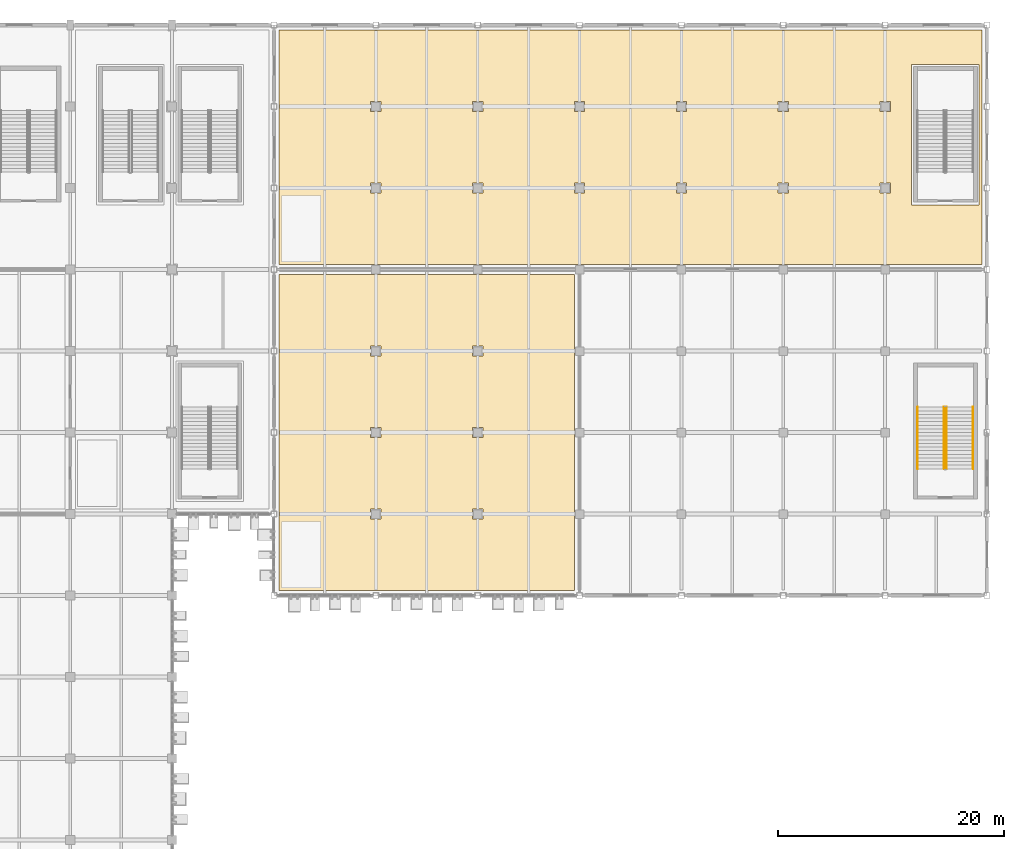
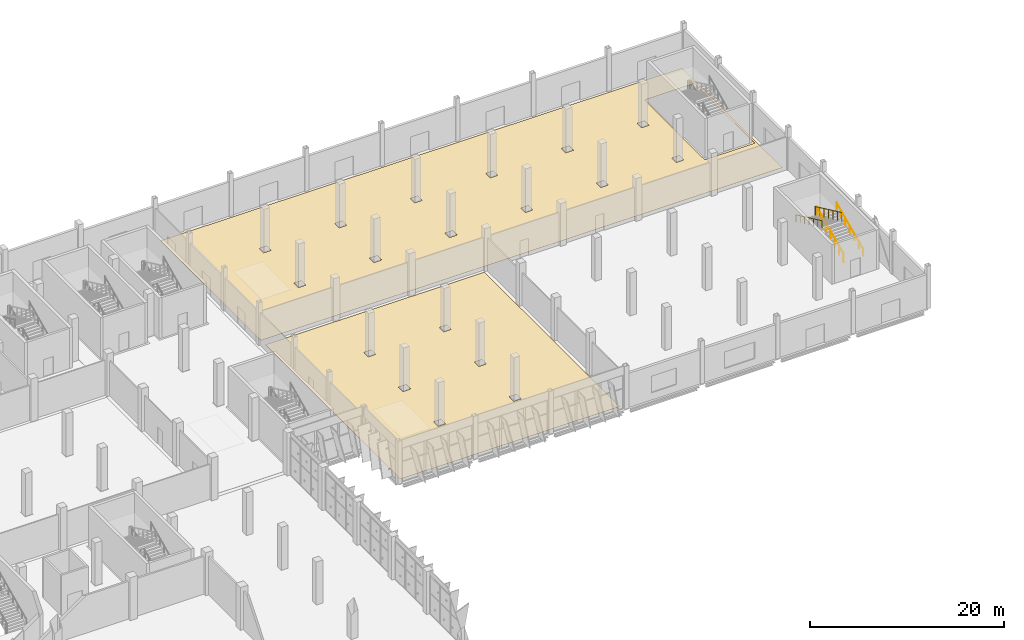
# One storey, part 136 of 137: 4 railings, 2 coverings.
"""IFC4 building model written with IfcOpenShell, lengths in metres."""

import ifcopenshell
import ifcopenshell.guid

model = None  # the IFC model being written
_history = None  # IfcOwnerHistory: only IFC2X3 demands one
_inside = {}  # id of a spatial element -> (the spatial element, [elements in it])
_under = {}  # id of a project, library or spatial element -> (it, [spatial elements below it])
_declared = {}  # id of a project -> (the project, [libraries it declares])
_typed = {}  # id of a type object -> (the type object, [elements of that type])
_made_of = {}  # id of a material, layer set ... -> (it, [elements and type objects made of it])


def new_model(schema):
    """Start an empty IFC model of exactly this schema.

    Asked for "IFC4X3", IfcOpenShell would pick the latest addendum, in which some entities
    have other attributes; the version numbers below select the first issue.
    IFC2X3 requires an IfcOwnerHistory on every rooted entity: one is made here for all.
    """
    global model, _history
    if schema == "IFC4X3":
        model = ifcopenshell.file(schema_version=(4, 3, 0, 0))
    else:
        model = ifcopenshell.file(schema=schema)
    _inside.clear()
    _under.clear()
    _declared.clear()
    _typed.clear()
    _made_of.clear()
    _history = None
    if model.schema == "IFC2X3":
        org = make("IfcOrganization", Name="unknown")
        user = make(
            "IfcPersonAndOrganization",
            ThePerson=make("IfcPerson", FamilyName="unknown"),
            TheOrganization=org,
        )
        app = make(
            "IfcApplication",
            ApplicationDeveloper=org,
            Version="unknown",
            ApplicationFullName="unknown",
            ApplicationIdentifier="unknown",
        )
        _history = make(
            "IfcOwnerHistory",
            OwningUser=user,
            OwningApplication=app,
            ChangeAction="ADDED",
            CreationDate=0,
        )
    return model


def make(cls, **values):
    """One entity of the class cls with the attributes given. An attribute that is None is left unset."""
    return model.create_entity(
        cls, **{name: value for name, value in values.items() if value is not None}
    )


def rooted(cls, **values):
    """An entity with a GlobalId (a new one), such as an element, a storey or a relation."""
    return make(cls, GlobalId=ifcopenshell.guid.new(), OwnerHistory=_history, **values)


def si_unit(unit_type, name, prefix=None):
    """IfcSIUnit, for example si_unit("LENGTHUNIT", "METRE", prefix="MILLI")."""
    return make("IfcSIUnit", UnitType=unit_type, Prefix=prefix, Name=name)


def assignment(units):
    """IfcUnitAssignment: the units of a project."""
    return None if units is None else make("IfcUnitAssignment", Units=units)


def point(xyz):
    """IfcCartesianPoint."""
    return None if xyz is None else make("IfcCartesianPoint", Coordinates=xyz)


def direction(xyz):
    """IfcDirection."""
    return None if xyz is None else make("IfcDirection", DirectionRatios=xyz)


def frame(location, z_axis=None, x_axis=None):
    """IfcAxis2Placement3D, a coordinate frame: its origin and axes. An axis left out is left unset."""
    return make(
        "IfcAxis2Placement3D",
        Location=point(location),
        Axis=direction(z_axis),
        RefDirection=direction(x_axis),
    )


def frame_2d(location, x_axis=None):
    """IfcAxis2Placement2D, a coordinate frame in the plane: its origin and x axis."""
    return make(
        "IfcAxis2Placement2D", Location=point(location), RefDirection=direction(x_axis)
    )


def origin():
    """The frame at (0, 0, 0) with its axes left unset."""
    return frame((0.0, 0.0, 0.0))


def origin_2d():
    """The frame at (0, 0) in the plane with its x axis left unset."""
    return frame_2d((0.0, 0.0))


def place(relative_to, where):
    """IfcLocalPlacement: puts the frame where relative to a parent placement (None: the world)."""
    return make(
        "IfcLocalPlacement", PlacementRelTo=relative_to, RelativePlacement=where
    )


def context(
    kind, dimensions, precision=None, world=None, true_north=None, identifier=None
):
    """IfcGeometricRepresentationContext, for example the 3D "Model" context."""
    return make(
        "IfcGeometricRepresentationContext",
        ContextIdentifier=identifier,
        ContextType=kind,
        CoordinateSpaceDimension=dimensions,
        Precision=precision,
        WorldCoordinateSystem=world,
        TrueNorth=true_north,
    )


def subcontext(parent, identifier, kind, view, scale=None):
    """IfcGeometricRepresentationSubContext, for example "Body" below "Model"."""
    return make(
        "IfcGeometricRepresentationSubContext",
        ContextIdentifier=identifier,
        ContextType=kind,
        ParentContext=parent,
        TargetScale=scale,
        TargetView=view,
    )


def project(units=None, contexts=None):
    """IfcProject with its units and contexts."""
    return rooted(
        "IfcProject",
        Name="project",
        RepresentationContexts=contexts,
        UnitsInContext=assignment(units),
    )


def spatial(cls, under=None, at=None, **own):
    """A site, building, storey or space (cls), placed at a placement, below another one or the project."""
    s = rooted(cls, ObjectPlacement=at, **own)
    if under is not None:
        _under.setdefault(under.id(), (under, []))[1].append(s)
    return s


def polyline(points):
    """IfcPolyline through the points."""
    return make("IfcPolyline", Points=[point(p) for p in points])


def profile(cls, at=None, kind="AREA", **sizes):
    """A parametric profile (cls). Its sizes go by their IFC names, for example OverallWidth=200.0."""
    return make(cls, ProfileType=kind, Position=at, **sizes)


def circle(**sizes):
    """IfcCircleProfileDef."""
    return profile("IfcCircleProfileDef", **sizes)


def outline(outer, holes=None, kind="AREA"):
    """IfcArbitraryClosedProfileDef: a profile drawn as a closed curve; with holes, ...WithVoids."""
    if holes is None:
        return make("IfcArbitraryClosedProfileDef", ProfileType=kind, OuterCurve=outer)
    return make(
        "IfcArbitraryProfileDefWithVoids",
        ProfileType=kind,
        OuterCurve=outer,
        InnerCurves=holes,
    )


def extrude(swept, where, along, depth):
    """IfcExtrudedAreaSolid: the profile swept, set in the frame where, extruded along a direction by depth."""
    return make(
        "IfcExtrudedAreaSolid",
        SweptArea=swept,
        Position=where,
        ExtrudedDirection=direction(along),
        Depth=depth,
    )


def shape(context_of_items, identifier, shape_type, items):
    """IfcShapeRepresentation: the items that make up one representation, for example the "Body"."""
    return make(
        "IfcShapeRepresentation",
        ContextOfItems=context_of_items,
        RepresentationIdentifier=identifier,
        RepresentationType=shape_type,
        Items=items,
    )


def material(Name=None, Category=None):
    """IfcMaterial."""
    return make("IfcMaterial", Name=Name, Category=Category)


def layer(
    of_material, thickness, ventilated=None, Name=None, Category=None, Priority=None
):
    """IfcMaterialLayer: one layer of a wall or slab, of a material (None: an air gap)."""
    return make(
        "IfcMaterialLayer",
        Material=of_material,
        LayerThickness=thickness,
        IsVentilated=ventilated,
        Name=Name,
        Category=Category,
        Priority=Priority,
    )


def layer_set(layers, Name=None):
    """IfcMaterialLayerSet."""
    return make("IfcMaterialLayerSet", MaterialLayers=layers, LayerSetName=Name)


def made_of(thing, what):
    """Note that an element or type object is made of a material, layer set ...; save() writes the relation."""
    if what is not None:
        _made_of.setdefault(what.id(), (what, []))[1].append(thing)
    return thing


def type_object(cls, material=None, **own):
    """A type object (cls), such as IfcWallType, which elements share."""
    return made_of(rooted(cls, **own), material)


def element(
    cls,
    number,
    at=None,
    inside=None,
    cuts=None,
    type_object=None,
    material=None,
    context=None,
    identifier="Body",
    shape_type=None,
    held_by="IfcProductDefinitionShape",
    body=None,
    shapes=None,
    **own,
):
    """One element of the class cls, such as IfcWall. Its Tag is "e" and its number.

    at: its placement. inside: the storey or other place that contains it. cuts: it is an
    opening in that element (IfcRelVoidsElement). A single representation is given by context,
    identifier, shape_type and body (its items); several are given by shapes. held_by: the class
    of the entity that holds the representations. save() writes the other relations.
    """
    e = rooted(cls, Tag="e%d" % number, ObjectPlacement=at, **own)
    if body is not None:
        shapes = [shape(context, identifier, shape_type, body)]
    if shapes is not None:
        e.Representation = make(held_by, Representations=shapes)
    if inside is not None:
        _inside.setdefault(inside.id(), (inside, []))[1].append(e)
    if cuts is not None:
        rooted(
            "IfcRelVoidsElement", RelatingBuildingElement=cuts, RelatedOpeningElement=e
        )
    if type_object is not None:
        _typed.setdefault(type_object.id(), (type_object, []))[1].append(e)
    return made_of(e, material)


def aggregate(whole, parts):
    """IfcRelAggregates: a whole, such as a stair, and the parts it consists of."""
    return rooted("IfcRelAggregates", RelatingObject=whole, RelatedObjects=parts)


def save(model, path):
    """Write the relations noted so far, then the file.

    IfcRelAggregates (storeys below a building ...), IfcRelContainedInSpatialStructure (elements
    in a storey), IfcRelDefinesByType, IfcRelAssociatesMaterial and IfcRelDeclares: one each for
    every whole, place, type object, material and project.
    """
    for whole, parts in _under.values():
        aggregate(whole, parts)
    for where, things in _inside.values():
        rooted(
            "IfcRelContainedInSpatialStructure",
            RelatedElements=things,
            RelatingStructure=where,
        )
    for kind, things in _typed.values():
        rooted("IfcRelDefinesByType", RelatedObjects=things, RelatingType=kind)
    for what, things in _made_of.values():
        rooted("IfcRelAssociatesMaterial", RelatedObjects=things, RelatingMaterial=what)
    for by, libraries in _declared.values():
        rooted("IfcRelDeclares", RelatingContext=by, RelatedDefinitions=libraries)
    model.write(path)


model = new_model("IFC4")

# Units and contexts
model_context = context("Model", 3, precision=1e-05, world=origin(), true_north=direction((0.0, 1.0)))
body_context = subcontext(model_context, "Body", "Model", "MODEL_VIEW")
ifc_project = project(units=[si_unit("LENGTHUNIT", "METRE"), si_unit("AREAUNIT", "SQUARE_METRE"), si_unit("VOLUMEUNIT", "CUBIC_METRE"), si_unit("PLANEANGLEUNIT", "RADIAN"), si_unit("MASSUNIT", "GRAM", prefix="KILO")], contexts=[model_context])

# Site, building, storey
site_placement = place(None, origin())
site = spatial("IfcSite", under=ifc_project, at=site_placement, CompositionType="ELEMENT")
building_placement = place(site_placement, origin())
building = spatial("IfcBuilding", under=site, at=building_placement, Name="Celestram Park Convention Centre", CompositionType="ELEMENT")
storey_placement = place(building_placement, origin())
storey = spatial("IfcBuildingStorey", under=building, at=storey_placement, Name="L00", CompositionType="ELEMENT", Elevation=0.0)

# Coverings
ifc_material_1 = material(Name="Polished Lakefront Aggregate Terrazzo Flooring", Category="concrete")
ifc_layer_1 = layer(ifc_material_1, 0.02001953125)
ifc_layer_set_1 = layer_set([ifc_layer_1], Name="Polished Lakefront Aggregate Terrazzo Flooring")
covering_type = type_object("IfcCoveringType", Name="ARC-COV-FLR020", PredefinedType="FLOORING", material=ifc_layer_set_1)
covering_1_placement = place(storey_placement, origin())
element("IfcCovering", 1, at=covering_1_placement, inside=storey, type_object=covering_type, Name="Plenary Speaker Lounge terrazzo flooring", PredefinedType="FLOORING", context=body_context, shape_type="SweptSolid", body=[
    extrude(outline(polyline([(161.547119140625, 143.550048828125), (161.547119140625, 143.547119140625), (162.452880859375, 143.547119140625), (162.452880859375, 143.550048828125), (170.547119140625, 143.550048828125), (170.547119140625, 143.547119140625), (171.452880859375, 143.547119140625), (171.452880859375, 143.550048828125), (179.547119140625, 143.550048828125), (179.547119140625, 143.547119140625), (179.550048828125, 143.547119140625), (179.550048828125, 137.2529296875), (179.547119140625, 137.2529296875), (179.547119140625, 136.346923828125), (179.550048828125, 136.346923828125), (179.550048828125, 130.052978515625), (179.547119140625, 130.052978515625), (179.547119140625, 129.14697265625), (179.550048828125, 129.14697265625), (179.550048828125, 122.85302734375), (179.547119140625, 122.85302734375), (179.547119140625, 121.947021484375), (179.550048828125, 121.947021484375), (179.550048828125, 115.64990234375), (153.449951171875, 115.64990234375), (153.449951171875, 143.550048828125), (161.547119140625, 143.550048828125)]), holes=[polyline([(171.452880859375, 122.85302734375), (170.547119140625, 122.85302734375), (170.547119140625, 121.947021484375), (171.452880859375, 121.947021484375), (171.452880859375, 122.85302734375)]), polyline([(162.452880859375, 122.85302734375), (161.547119140625, 122.85302734375), (161.547119140625, 121.947021484375), (162.452880859375, 121.947021484375), (162.452880859375, 122.85302734375)]), polyline([(171.452880859375, 130.052978515625), (170.547119140625, 130.052978515625), (170.547119140625, 129.14697265625), (171.452880859375, 129.14697265625), (171.452880859375, 130.052978515625)]), polyline([(162.452880859375, 129.14697265625), (162.452880859375, 130.052978515625), (161.547119140625, 130.052978515625), (161.547119140625, 129.14697265625), (162.452880859375, 129.14697265625)]), polyline([(171.452880859375, 137.2529296875), (170.547119140625, 137.2529296875), (170.547119140625, 136.346923828125), (171.452880859375, 136.346923828125), (171.452880859375, 137.2529296875)]), polyline([(162.452880859375, 137.2529296875), (161.547119140625, 137.2529296875), (161.547119140625, 136.346923828125), (162.452880859375, 136.346923828125), (162.452880859375, 137.2529296875)])]), origin(), (0.0, 0.0, 1.0), 0.02001953125),
])
covering_2_placement = place(storey_placement, origin())
element("IfcCovering", 2, at=covering_2_placement, inside=storey, type_object=covering_type, Name="Keynote VIP Briefing Room terrazzo flooring", PredefinedType="FLOORING", context=body_context, shape_type="SweptSolid", body=[
    extrude(outline(polyline([(215.550048828125, 165.14990234375), (215.550048828125, 144.449951171875), (207.452880859375, 144.449951171875), (207.452880859375, 144.452880859375), (206.547119140625, 144.452880859375), (206.547119140625, 144.449951171875), (198.452880859375, 144.449951171875), (198.452880859375, 144.452880859375), (197.547119140625, 144.452880859375), (197.547119140625, 144.449951171875), (189.452880859375, 144.449951171875), (189.452880859375, 144.452880859375), (188.547119140625, 144.452880859375), (188.547119140625, 144.449951171875), (180.452880859375, 144.449951171875), (180.452880859375, 144.452880859375), (179.547119140625, 144.452880859375), (179.547119140625, 144.449951171875), (171.452880859375, 144.449951171875), (171.452880859375, 144.452880859375), (170.547119140625, 144.452880859375), (170.547119140625, 144.449951171875), (162.452880859375, 144.449951171875), (162.452880859375, 144.452880859375), (161.547119140625, 144.452880859375), (161.547119140625, 144.449951171875), (153.449951171875, 144.449951171875), (153.449951171875, 165.14990234375), (215.550048828125, 165.14990234375)]), holes=[polyline([(215.300048828125, 162.10009765625), (209.340087890625, 162.10009765625), (209.340087890625, 149.699951171875), (215.300048828125, 149.699951171875), (215.300048828125, 162.10009765625)]), polyline([(162.452880859375, 151.653076171875), (161.547119140625, 151.653076171875), (161.547119140625, 150.7470703125), (162.452880859375, 150.7470703125), (162.452880859375, 151.653076171875)]), polyline([(180.452880859375, 150.7470703125), (180.452880859375, 151.653076171875), (179.547119140625, 151.653076171875), (179.547119140625, 150.7470703125), (180.452880859375, 150.7470703125)]), polyline([(171.452880859375, 151.653076171875), (170.547119140625, 151.653076171875), (170.547119140625, 150.7470703125), (171.452880859375, 150.7470703125), (171.452880859375, 151.653076171875)]), polyline([(180.452880859375, 158.85302734375), (179.547119140625, 158.85302734375), (179.547119140625, 157.947021484375), (180.452880859375, 157.947021484375), (180.452880859375, 158.85302734375)]), polyline([(171.452880859375, 158.85302734375), (170.547119140625, 158.85302734375), (170.547119140625, 157.947021484375), (171.452880859375, 157.947021484375), (171.452880859375, 158.85302734375)]), polyline([(162.452880859375, 157.947021484375), (162.452880859375, 158.85302734375), (161.547119140625, 158.85302734375), (161.547119140625, 157.947021484375), (162.452880859375, 157.947021484375)]), polyline([(207.452880859375, 151.653076171875), (206.547119140625, 151.653076171875), (206.547119140625, 150.7470703125), (207.452880859375, 150.7470703125), (207.452880859375, 151.653076171875)]), polyline([(198.452880859375, 151.653076171875), (197.547119140625, 151.653076171875), (197.547119140625, 150.7470703125), (198.452880859375, 150.7470703125), (198.452880859375, 151.653076171875)]), polyline([(189.452880859375, 151.653076171875), (188.547119140625, 151.653076171875), (188.547119140625, 150.7470703125), (189.452880859375, 150.7470703125), (189.452880859375, 151.653076171875)]), polyline([(207.452880859375, 157.947021484375), (207.452880859375, 158.85302734375), (206.547119140625, 158.85302734375), (206.547119140625, 157.947021484375), (207.452880859375, 157.947021484375)]), polyline([(189.452880859375, 158.85302734375), (188.547119140625, 158.85302734375), (188.547119140625, 157.947021484375), (189.452880859375, 157.947021484375), (189.452880859375, 158.85302734375)]), polyline([(198.452880859375, 157.947021484375), (198.452880859375, 158.85302734375), (197.547119140625, 158.85302734375), (197.547119140625, 157.947021484375), (198.452880859375, 157.947021484375)])]), origin(), (0.0, 0.0, 1.0), 0.02001953125),
])

# Railings
ifc_material_2 = material(Name="Stainless Steel AISI 316L & Laminated Glass", Category="steel")
ifc_layer_2 = layer(ifc_material_2, 0.06005859375)
ifc_layer_set_2 = layer_set([ifc_layer_2], Name="Stainless Steel AISI 316L & Laminated Glass")
railing_type_1 = type_object("IfcRailingType", Name="ARC-RL-GRD1120", PredefinedType="GUARDRAIL", material=ifc_layer_set_2)
railing_1_placement = place(storey_placement, frame((212.43603515625, 126.39990234375, 0.14990234375)))
element("IfcRailing", 3, at=railing_1_placement, inside=storey, type_object=railing_type_1, Name="L00 ST-08 stair guard 1", PredefinedType="GUARDRAIL", context=body_context, shape_type="SweptSolid", body=[
    extrude(circle(Radius=0.02392578125, at=origin_2d()), frame((0.0, 0.0, 1.09619140625), z_axis=(0.0, 0.905461375974, 0.424428670827), x_axis=(-1.0, 0.0, 0.0)), (0.0, 0.0, 1.0), 6.00830078125),
    extrude(circle(Radius=0.02099609375, at=origin_2d()), origin(), (0.0, 0.0, 1.0), 1.072021484375),
    extrude(circle(Radius=0.02099609375, at=origin_2d()), frame((0.0, 0.90673828125, 0.425048828125)), (0.0, 0.0, 1.0), 1.072021484375),
    extrude(circle(Radius=0.02099609375, at=origin_2d()), frame((0.0, 1.8134765625, 0.85009765625)), (0.0, 0.0, 1.0), 1.072021484375),
    extrude(circle(Radius=0.02099609375, at=origin_2d()), frame((0.0, 2.72021484375, 1.27490234375)), (0.0, 0.0, 1.0), 1.072021484375),
    extrude(circle(Radius=0.02099609375, at=origin_2d()), frame((0.0, 3.626708984375, 1.699951171875)), (0.0, 0.0, 1.0), 1.072021484375),
    extrude(circle(Radius=0.02099609375, at=origin_2d()), frame((0.0, 4.533447265625, 2.125)), (0.0, 0.0, 1.0), 1.072021484375),
    extrude(circle(Radius=0.02099609375, at=origin_2d()), frame((0.0, 5.440185546875, 2.550048828125)), (0.0, 0.0, 1.0), 1.072021484375),
])
railing_2_placement = place(storey_placement, frame((212.2041015625, 131.840087890625, 2.85009765625)))
element("IfcRailing", 4, at=railing_2_placement, inside=storey, type_object=railing_type_1, Name="L00 ST-08 stair guard 3", PredefinedType="GUARDRAIL", context=body_context, shape_type="SweptSolid", body=[
    extrude(circle(Radius=0.02392578125, at=origin_2d()), frame((0.0, 0.0, 1.09619140625), z_axis=(0.0, -0.90547699167, 0.424395355248), x_axis=(1.0, 0.0, 0.0)), (0.0, 0.0, 1.0), 6.008056640625),
    extrude(circle(Radius=0.02099609375, at=origin_2d()), origin(), (0.0, 0.0, 1.0), 1.072021484375),
    extrude(circle(Radius=0.02099609375, at=origin_2d()), frame((0.0, -0.90673828125, 0.425048828125)), (0.0, 0.0, 1.0), 1.072021484375),
    extrude(circle(Radius=0.02099609375, at=origin_2d()), frame((0.0, -1.8134765625, 0.849853515625)), (0.0, 0.0, 1.0), 1.072021484375),
    extrude(circle(Radius=0.02099609375, at=origin_2d()), frame((0.0, -2.72021484375, 1.27490234375)), (0.0, 0.0, 1.0), 1.072021484375),
    extrude(circle(Radius=0.02099609375, at=origin_2d()), frame((0.0, -3.626708984375, 1.699951171875)), (0.0, 0.0, 1.0), 1.072021484375),
    extrude(circle(Radius=0.02099609375, at=origin_2d()), frame((0.0, -4.533447265625, 2.124755859375)), (0.0, 0.0, 1.0), 1.072021484375),
    extrude(circle(Radius=0.02099609375, at=origin_2d()), frame((0.0, -5.440185546875, 2.5498046875)), (0.0, 0.0, 1.0), 1.072021484375),
])
ifc_material_3 = material(Name="Brushed Stainless Steel AISI 304", Category="steel")
ifc_layer_3 = layer(ifc_material_3, 0.048095703125)
ifc_layer_set_3 = layer_set([ifc_layer_3], Name="Brushed Stainless Steel AISI 304")
railing_type_2 = type_object("IfcRailingType", Name="ARC-RL-HND915", PredefinedType="HANDRAIL", material=ifc_layer_set_3)
railing_3_placement = place(storey_placement, frame((214.763916015625, 126.39990234375, 0.14990234375)))
element("IfcRailing", 5, at=railing_3_placement, inside=storey, type_object=railing_type_2, Name="L00 ST-08 stair handrail 1", PredefinedType="HANDRAIL", context=body_context, shape_type="SweptSolid", body=[
    extrude(circle(Radius=0.02392578125, at=origin_2d()), frame((0.0, 0.0, 0.8759765625), z_axis=(0.0, 0.905461375974, 0.424428670827), x_axis=(-1.0, 0.0, 0.0)), (0.0, 0.0, 1.0), 6.00830078125),
    extrude(circle(Radius=0.02099609375, at=origin_2d()), origin(), (0.0, 0.0, 1.0), 0.851806640625),
    extrude(circle(Radius=0.02099609375, at=origin_2d()), frame((0.0, 0.90673828125, 0.425048828125)), (0.0, 0.0, 1.0), 0.851806640625),
    extrude(circle(Radius=0.02099609375, at=origin_2d()), frame((0.0, 1.8134765625, 0.85009765625)), (0.0, 0.0, 1.0), 0.851806640625),
    extrude(circle(Radius=0.02099609375, at=origin_2d()), frame((0.0, 2.72021484375, 1.27490234375)), (0.0, 0.0, 1.0), 0.851806640625),
    extrude(circle(Radius=0.02099609375, at=origin_2d()), frame((0.0, 3.626708984375, 1.699951171875)), (0.0, 0.0, 1.0), 0.851806640625),
    extrude(circle(Radius=0.02099609375, at=origin_2d()), frame((0.0, 4.533447265625, 2.125)), (0.0, 0.0, 1.0), 0.851806640625),
    extrude(circle(Radius=0.02099609375, at=origin_2d()), frame((0.0, 5.440185546875, 2.550048828125)), (0.0, 0.0, 1.0), 0.851806640625),
])
railing_4_placement = place(storey_placement, frame((209.8759765625, 131.840087890625, 2.85009765625)))
element("IfcRailing", 6, at=railing_4_placement, inside=storey, type_object=railing_type_2, Name="L00 ST-08 stair handrail 2", PredefinedType="HANDRAIL", context=body_context, shape_type="SweptSolid", body=[
    extrude(circle(Radius=0.02392578125, at=origin_2d()), frame((0.0, 0.0, 0.8759765625), z_axis=(0.0, -0.90547699167, 0.424395355248), x_axis=(1.0, 0.0, 0.0)), (0.0, 0.0, 1.0), 6.008056640625),
    extrude(circle(Radius=0.02099609375, at=origin_2d()), origin(), (0.0, 0.0, 1.0), 0.851806640625),
    extrude(circle(Radius=0.02099609375, at=origin_2d()), frame((0.0, -0.90673828125, 0.425048828125)), (0.0, 0.0, 1.0), 0.851806640625),
    extrude(circle(Radius=0.02099609375, at=origin_2d()), frame((0.0, -1.8134765625, 0.849853515625)), (0.0, 0.0, 1.0), 0.851806640625),
    extrude(circle(Radius=0.02099609375, at=origin_2d()), frame((0.0, -2.72021484375, 1.27490234375)), (0.0, 0.0, 1.0), 0.851806640625),
    extrude(circle(Radius=0.02099609375, at=origin_2d()), frame((0.0, -3.626708984375, 1.699951171875)), (0.0, 0.0, 1.0), 0.851806640625),
    extrude(circle(Radius=0.02099609375, at=origin_2d()), frame((0.0, -4.533447265625, 2.124755859375)), (0.0, 0.0, 1.0), 0.851806640625),
    extrude(circle(Radius=0.02099609375, at=origin_2d()), frame((0.0, -5.440185546875, 2.5498046875)), (0.0, 0.0, 1.0), 0.851806640625),
])

save(model, "model.ifc")
